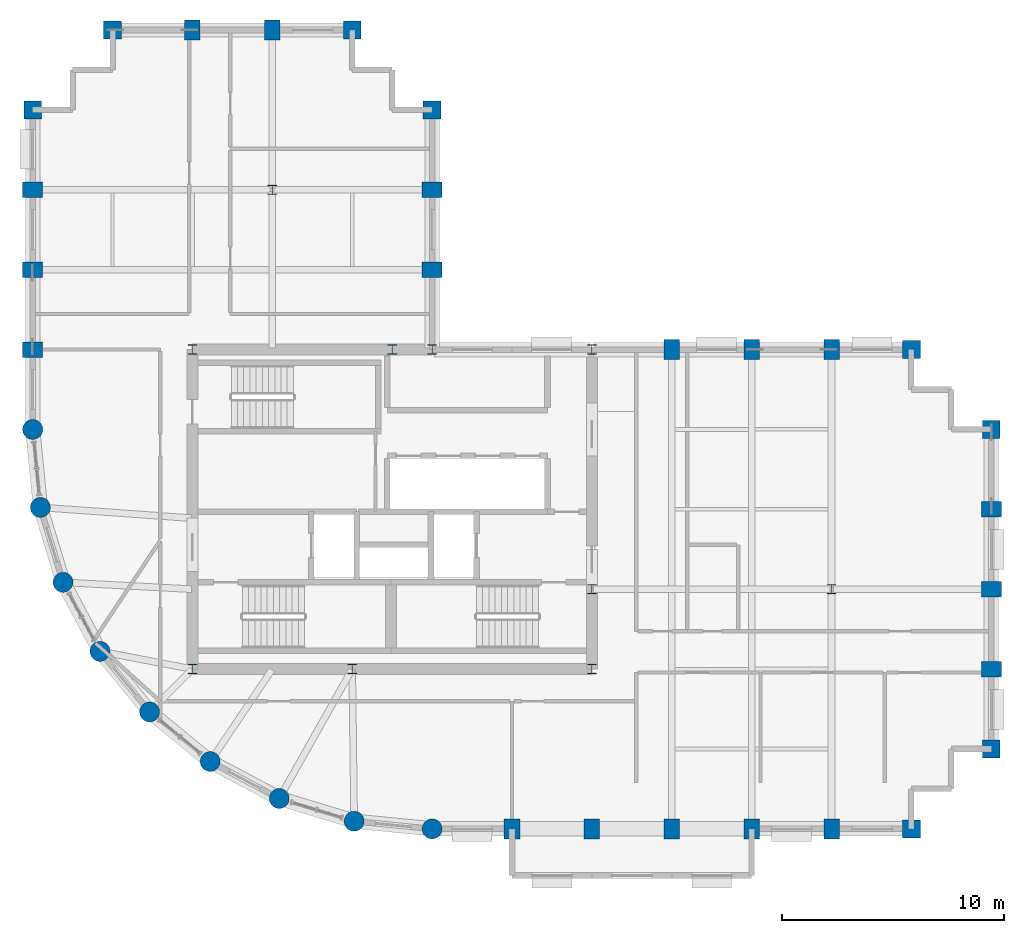
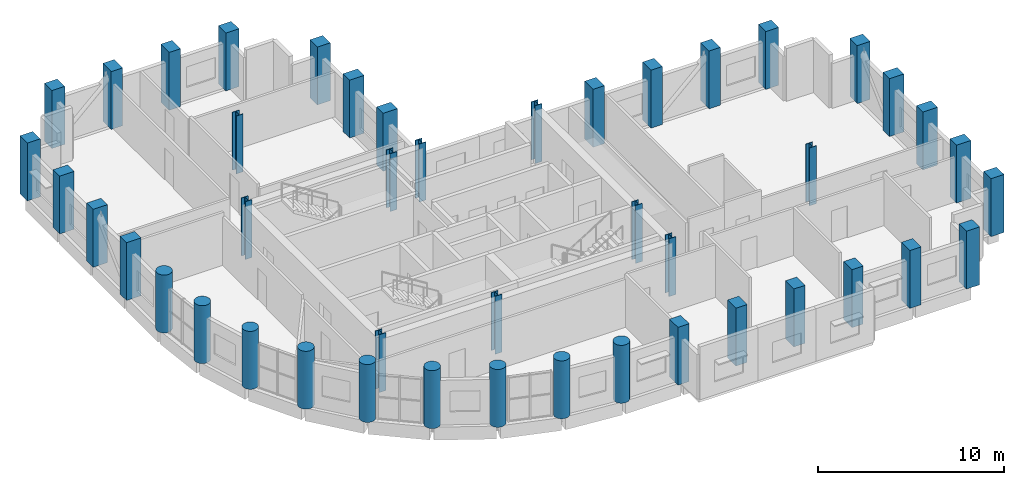
# One storey, part 1 of 11: 45 columns.
"""IFC4 building model written with IfcOpenShell, lengths in metres."""

from ifc_helpers import new_model, si_unit, direction, frame, origin, origin_2d, place, context, subcontext, project, spatial, rectangle, circle, i_section, extrude, material, material_profile, profile_set, type_object, element, save


model = new_model("IFC4")

# Units and contexts
model_context = context("Model", 3, precision=1e-05, world=origin(), true_north=direction((0.0, 1.0)))
body_context = subcontext(model_context, "Body", "Model", "MODEL_VIEW")
ifc_project = project(units=[si_unit("LENGTHUNIT", "METRE"), si_unit("AREAUNIT", "SQUARE_METRE"), si_unit("VOLUMEUNIT", "CUBIC_METRE"), si_unit("PLANEANGLEUNIT", "RADIAN"), si_unit("MASSUNIT", "GRAM", prefix="KILO")], contexts=[model_context])

# Site, building, storey
site_placement = place(None, origin())
site = spatial("IfcSite", under=ifc_project, at=site_placement, CompositionType="ELEMENT")
building_placement = place(site_placement, origin())
building = spatial("IfcBuilding", under=site, at=building_placement, Name="Solnavia Interchange Tower", CompositionType="ELEMENT")
storey_placement = place(building_placement, frame((0.0, 0.0, 205.199951171875)))
storey = spatial("IfcBuildingStorey", under=building, at=storey_placement, Name="L51", CompositionType="ELEMENT", Elevation=205.199951171875)

# Columns
ifc_material_1 = material(Name="Concrete C50/60", Category="concrete")
ifc_material_profile_1 = material_profile(ifc_material_1, rectangle(XDim=0.800048828125, YDim=0.800048828125, at=origin_2d()), Name="RC 800x800")
ifc_profile_set_1 = profile_set([ifc_material_profile_1], Name="Concrete C50/60")
column_type_1 = type_object("IfcColumnType", Name="Col-RC-800x800", PredefinedType="COLUMN", material=ifc_profile_set_1)
for number, where, z_axis, x_axis, name in (
    (1, (7.199951171875, 36.0, 0.0), (0.0, 0.0, 1.0), (0.0, 1.0, 0.0), "COL-L51-05 Tower corner column"),
    (2, (10.800048828125, 39.60009765625, 0.0), (0.0, 0.0, 1.0), (1.0, 0.0, 0.0), "COL-L51-09 Tower corner column"),
    (3, (21.60009765625, 39.60009765625, 0.0), (0.0, 0.0, 1.0), (1.0, 0.0, 0.0), "COL-L51-19 Tower corner column"),
    (4, (25.199951171875, 36.0, 0.0), (0.0, 0.0, 1.0), (0.0, 1.0, 0.0), "COL-L51-26 Tower corner column"),
    (5, (46.800048828125, 3.60009765625, 0.0), (0.0, 0.0, 1.0), (1.0, 0.0, 0.0), "COL-L51-39 Tower corner column"),
    (6, (46.800048828125, 25.199951171875, 0.0), (0.0, 0.0, 1.0), (1.0, 0.0, 0.0), "COL-L51-40 Tower corner column"),
    (7, (50.39990234375, 7.199951171875, 0.0), (0.0, 0.0, 1.0), (1.0, 0.0, 0.0), "COL-L51-41 Tower corner column"),
    (8, (50.39990234375, 21.60009765625, 0.0), (0.0, 0.0, 1.0), (0.0, 1.0, 0.0), "COL-L51-45 Tower corner column"),
):
    element("IfcColumn", number, at=place(storey_placement, frame(where, z_axis=z_axis, x_axis=x_axis)), inside=storey, type_object=column_type_1, Name=name, PredefinedType="COLUMN", context=body_context, shape_type="SweptSolid", body=[
        extrude(rectangle(XDim=0.800048828125, YDim=0.800048828125, at=origin_2d()), origin(), (0.0, 0.0, 1.0), 3.800048828125),
    ])
ifc_material_profile_2 = material_profile(ifc_material_1, rectangle(XDim=0.699951171875, YDim=0.89990234375, at=origin_2d()), Name="RC 900x700")
ifc_profile_set_2 = profile_set([ifc_material_profile_2], Name="Concrete C50/60")
column_type_2 = type_object("IfcColumnType", Name="Col-RC-900x700", PredefinedType="COLUMN", material=ifc_profile_set_2)
for number, where, z_axis, x_axis, name in (
    (9, (7.199951171875, 25.199951171875, 0.0), (0.0, 0.0, 1.0), (0.0, 1.0, 0.0), "COL-L51-02 Tower perim y column"),
    (10, (7.199951171875, 28.800048828125, 0.0), (0.0, 0.0, 1.0), (0.0, 1.0, 0.0), "COL-L51-03 Tower perim y column"),
    (11, (7.199951171875, 32.39990234375, 0.0), (0.0, 0.0, 1.0), (0.0, 1.0, 0.0), "COL-L51-04 Tower perim y column"),
    (12, (14.39990234375, 39.60009765625, 0.0), (0.0, 0.0, 1.0), (1.0, 0.0, 0.0), "COL-L51-13 Tower perim x column"),
    (13, (18.0, 39.60009765625, 0.0), (0.0, 0.0, 1.0), (1.0, 0.0, 0.0), "COL-L51-16 Tower perim x column"),
    (14, (25.199951171875, 28.800048828125, 0.0), (0.0, 0.0, 1.0), (0.0, 1.0, 0.0), "COL-L51-24 Tower perim y column"),
    (15, (25.199951171875, 32.39990234375, 0.0), (0.0, 0.0, 1.0), (0.0, 1.0, 0.0), "COL-L51-25 Tower perim y column"),
    (16, (28.800048828125, 3.60009765625, 0.0), (0.0, 0.0, 1.0), (1.0, 0.0, 0.0), "COL-L51-27 Tower perim x column"),
    (17, (32.39990234375, 3.60009765625, 0.0), (0.0, 0.0, 1.0), (1.0, 0.0, 0.0), "COL-L51-28 Tower perim x column"),
    (18, (36.0, 3.60009765625, 0.0), (0.0, 0.0, 1.0), (1.0, 0.0, 0.0), "COL-L51-32 Tower perim x column"),
    (19, (36.0, 25.199951171875, 0.0), (0.0, 0.0, 1.0), (1.0, 0.0, 0.0), "COL-L51-33 Tower perim x column"),
    (20, (39.60009765625, 3.60009765625, 0.0), (0.0, 0.0, 1.0), (1.0, 0.0, 0.0), "COL-L51-34 Tower perim x column"),
    (21, (39.60009765625, 25.199951171875, 0.0), (0.0, 0.0, 1.0), (1.0, 0.0, 0.0), "COL-L51-35 Tower perim x column"),
    (22, (43.199951171875, 3.60009765625, 0.0), (0.0, 0.0, 1.0), (1.0, 0.0, 0.0), "COL-L51-36 Tower perim x column"),
    (23, (43.199951171875, 25.199951171875, 0.0), (0.0, 0.0, 1.0), (1.0, 0.0, 0.0), "COL-L51-38 Tower perim x column"),
    (24, (50.39990234375, 10.800048828125, 0.0), (0.0, 0.0, 1.0), (0.0, 1.0, 0.0), "COL-L51-42 Tower perim y column"),
    (25, (50.39990234375, 14.39990234375, 0.0), (0.0, 0.0, 1.0), (0.0, 1.0, 0.0), "COL-L51-43 Tower perim y column"),
    (26, (50.39990234375, 18.0, 0.0), (0.0, 0.0, 1.0), (0.0, 1.0, 0.0), "COL-L51-44 Tower perim y column"),
):
    element("IfcColumn", number, at=place(storey_placement, frame(where, z_axis=z_axis, x_axis=x_axis)), inside=storey, type_object=column_type_2, Name=name, PredefinedType="COLUMN", context=body_context, shape_type="SweptSolid", body=[
        extrude(rectangle(XDim=0.699951171875, YDim=0.89990234375, at=origin_2d()), origin(), (0.0, 0.0, 1.0), 3.800048828125),
    ])
ifc_material_profile_3 = material_profile(ifc_material_1, circle(Radius=0.449951171875, at=origin_2d()), Name="RC D900")
ifc_profile_set_3 = profile_set([ifc_material_profile_3], Name="Concrete C50/60")
column_type_3 = type_object("IfcColumnType", Name="Col-RC-D900", PredefinedType="COLUMN", material=ifc_profile_set_3)
for number, where, z_axis, x_axis, name in (
    (27, (7.199951171875, 21.60009765625, 0.0), (0.0, 0.0, 1.0), (1.0, 0.0, 0.0), "COL-L51-01 Tower drum column"),
    (28, (7.5458984375, 18.087890625, 0.0), (0.0, 0.0, 1.0), (1.0, 0.0, 0.0), "COL-L51-06 Tower drum column"),
    (29, (8.570068359375, 14.7119140625, 0.0), (0.0, 0.0, 1.0), (1.0, 0.0, 0.0), "COL-L51-07 Tower drum column"),
    (30, (10.23388671875, 11.60009765625, 0.0), (0.0, 0.0, 1.0), (1.0, 0.0, 0.0), "COL-L51-08 Tower drum column"),
    (31, (12.471923828125, 8.8720703125, 0.0), (0.0, 0.0, 1.0), (1.0, 0.0, 0.0), "COL-L51-10 Tower drum column"),
    (32, (15.199951171875, 6.634033203125, 0.0), (0.0, 0.0, 1.0), (1.0, 0.0, 0.0), "COL-L51-14 Tower drum column"),
    (33, (18.31201171875, 4.969970703125, 0.0), (0.0, 0.0, 1.0), (1.0, 0.0, 0.0), "COL-L51-17 Tower drum column"),
    (34, (21.68798828125, 3.946044921875, 0.0), (0.0, 0.0, 1.0), (1.0, 0.0, 0.0), "COL-L51-20 Tower drum column"),
    (35, (25.199951171875, 3.60009765625, 0.0), (0.0, 0.0, 1.0), (1.0, 0.0, 0.0), "COL-L51-22 Tower drum column"),
):
    element("IfcColumn", number, at=place(storey_placement, frame(where, z_axis=z_axis, x_axis=x_axis)), inside=storey, type_object=column_type_3, Name=name, PredefinedType="COLUMN", context=body_context, shape_type="SweptSolid", body=[
        extrude(circle(Radius=0.449951171875, at=origin_2d()), origin(), (0.0, 0.0, 1.0), 3.800048828125),
    ])
ifc_material_2 = material(Name="Steel S355", Category="steel")
ifc_material_profile_4 = material_profile(ifc_material_2, i_section(OverallWidth=0.416015625, OverallDepth=0.44189453125, WebThickness=0.02490234375, FlangeThickness=0.041015625, FilletRadius=0.014892578125, at=origin_2d()), Name="HD 400x382")
ifc_profile_set_4 = profile_set([ifc_material_profile_4], Name="Steel S355")
column_type_4 = type_object("IfcColumnType", Name="Col-Steel-HD400x382", PredefinedType="COLUMN", material=ifc_profile_set_4)
for number, where, z_axis, x_axis, name in (
    (36, (14.39990234375, 10.800048828125, 0.0), (0.0, 0.0, 1.0), (1.0, 0.0, 0.0), "COL-L51-11 Tower interior column"),
    (37, (14.39990234375, 25.199951171875, 0.0), (0.0, 0.0, 1.0), (1.0, 0.0, 0.0), "COL-L51-12 Tower interior column"),
    (38, (18.0, 32.39990234375, 0.0), (0.0, 0.0, 1.0), (1.0, 0.0, 0.0), "COL-L51-15 Tower interior column"),
    (39, (21.60009765625, 10.800048828125, 0.0), (0.0, 0.0, 1.0), (1.0, 0.0, 0.0), "COL-L51-18 Tower interior column"),
    (40, (23.39990234375, 25.199951171875, 0.0), (0.0, 0.0, 1.0), (1.0, 0.0, 0.0), "COL-L51-21 Tower interior column"),
    (41, (25.199951171875, 25.199951171875, 0.0), (0.0, 0.0, 1.0), (1.0, 0.0, 0.0), "COL-L51-23 Tower interior column"),
    (42, (32.39990234375, 10.800048828125, 0.0), (0.0, 0.0, 1.0), (1.0, 0.0, 0.0), "COL-L51-29 Tower interior column"),
    (43, (32.39990234375, 14.39990234375, 0.0), (0.0, 0.0, 1.0), (1.0, 0.0, 0.0), "COL-L51-30 Tower interior column"),
    (44, (32.39990234375, 25.199951171875, 0.0), (0.0, 0.0, 1.0), (1.0, 0.0, 0.0), "COL-L51-31 Tower interior column"),
    (45, (43.199951171875, 14.39990234375, 0.0), (0.0, 0.0, 1.0), (1.0, 0.0, 0.0), "COL-L51-37 Tower interior column"),
):
    element("IfcColumn", number, at=place(storey_placement, frame(where, z_axis=z_axis, x_axis=x_axis)), inside=storey, type_object=column_type_4, Name=name, PredefinedType="COLUMN", context=body_context, shape_type="SweptSolid", body=[
        extrude(i_section(OverallWidth=0.416015625, OverallDepth=0.44189453125, WebThickness=0.02490234375, FlangeThickness=0.041015625, FilletRadius=0.014892578125, at=origin_2d()), origin(), (0.0, 0.0, 1.0), 3.800048828125),
    ])

save(model, "model.ifc")
